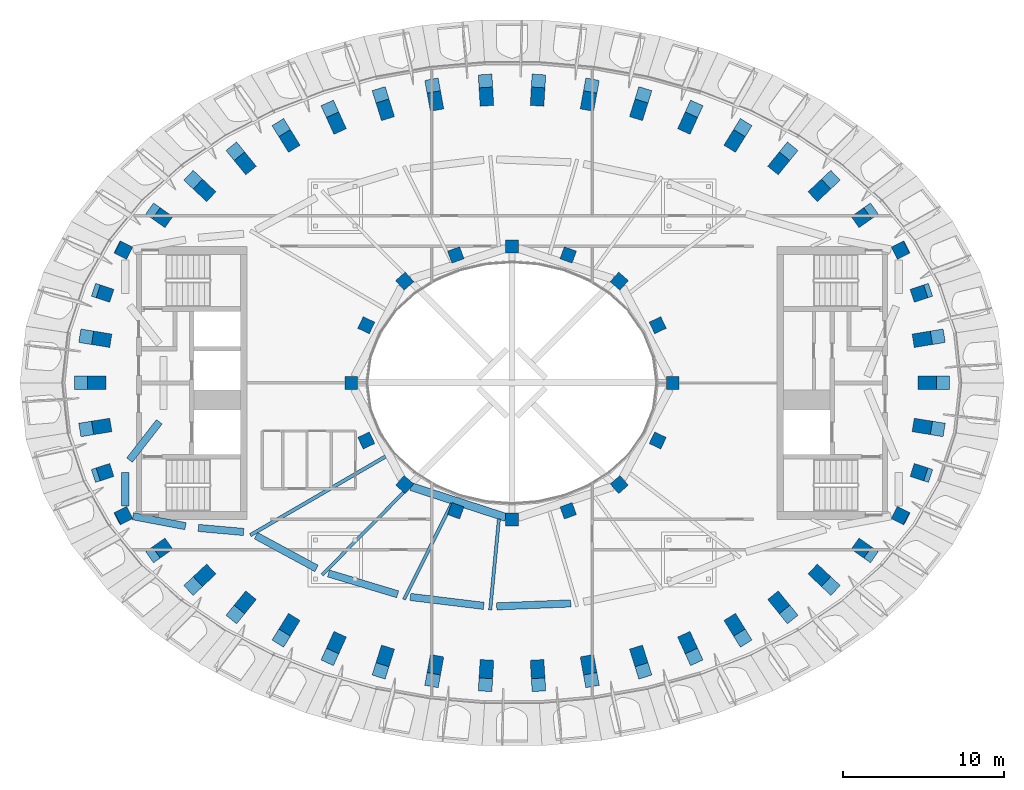
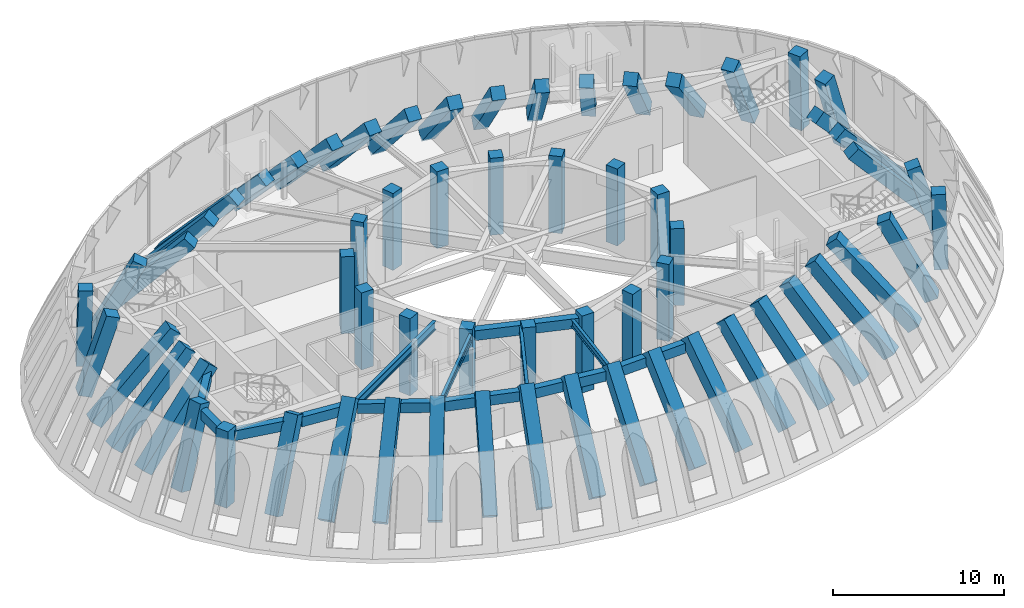
# One storey, part 1 of 13: 62 columns, 13 beams.
"""IFC4 building model written with IfcOpenShell, lengths in metres."""

import ifcopenshell
import ifcopenshell.guid

model = None  # the IFC model being written
_history = None  # IfcOwnerHistory: only IFC2X3 demands one
_inside = {}  # id of a spatial element -> (the spatial element, [elements in it])
_under = {}  # id of a project, library or spatial element -> (it, [spatial elements below it])
_declared = {}  # id of a project -> (the project, [libraries it declares])
_typed = {}  # id of a type object -> (the type object, [elements of that type])
_made_of = {}  # id of a material, layer set ... -> (it, [elements and type objects made of it])


def new_model(schema):
    """Start an empty IFC model of exactly this schema.

    Asked for "IFC4X3", IfcOpenShell would pick the latest addendum, in which some entities
    have other attributes; the version numbers below select the first issue.
    IFC2X3 requires an IfcOwnerHistory on every rooted entity: one is made here for all.
    """
    global model, _history
    if schema == "IFC4X3":
        model = ifcopenshell.file(schema_version=(4, 3, 0, 0))
    else:
        model = ifcopenshell.file(schema=schema)
    _inside.clear()
    _under.clear()
    _declared.clear()
    _typed.clear()
    _made_of.clear()
    _history = None
    if model.schema == "IFC2X3":
        org = make("IfcOrganization", Name="unknown")
        user = make(
            "IfcPersonAndOrganization",
            ThePerson=make("IfcPerson", FamilyName="unknown"),
            TheOrganization=org,
        )
        app = make(
            "IfcApplication",
            ApplicationDeveloper=org,
            Version="unknown",
            ApplicationFullName="unknown",
            ApplicationIdentifier="unknown",
        )
        _history = make(
            "IfcOwnerHistory",
            OwningUser=user,
            OwningApplication=app,
            ChangeAction="ADDED",
            CreationDate=0,
        )
    return model


def make(cls, **values):
    """One entity of the class cls with the attributes given. An attribute that is None is left unset."""
    return model.create_entity(
        cls, **{name: value for name, value in values.items() if value is not None}
    )


def rooted(cls, **values):
    """An entity with a GlobalId (a new one), such as an element, a storey or a relation."""
    return make(cls, GlobalId=ifcopenshell.guid.new(), OwnerHistory=_history, **values)


def si_unit(unit_type, name, prefix=None):
    """IfcSIUnit, for example si_unit("LENGTHUNIT", "METRE", prefix="MILLI")."""
    return make("IfcSIUnit", UnitType=unit_type, Prefix=prefix, Name=name)


def assignment(units):
    """IfcUnitAssignment: the units of a project."""
    return None if units is None else make("IfcUnitAssignment", Units=units)


def point(xyz):
    """IfcCartesianPoint."""
    return None if xyz is None else make("IfcCartesianPoint", Coordinates=xyz)


def direction(xyz):
    """IfcDirection."""
    return None if xyz is None else make("IfcDirection", DirectionRatios=xyz)


def frame(location, z_axis=None, x_axis=None):
    """IfcAxis2Placement3D, a coordinate frame: its origin and axes. An axis left out is left unset."""
    return make(
        "IfcAxis2Placement3D",
        Location=point(location),
        Axis=direction(z_axis),
        RefDirection=direction(x_axis),
    )


def frame_2d(location, x_axis=None):
    """IfcAxis2Placement2D, a coordinate frame in the plane: its origin and x axis."""
    return make(
        "IfcAxis2Placement2D", Location=point(location), RefDirection=direction(x_axis)
    )


def origin():
    """The frame at (0, 0, 0) with its axes left unset."""
    return frame((0.0, 0.0, 0.0))


def origin_2d():
    """The frame at (0, 0) in the plane with its x axis left unset."""
    return frame_2d((0.0, 0.0))


def place(relative_to, where):
    """IfcLocalPlacement: puts the frame where relative to a parent placement (None: the world)."""
    return make(
        "IfcLocalPlacement", PlacementRelTo=relative_to, RelativePlacement=where
    )


def context(
    kind, dimensions, precision=None, world=None, true_north=None, identifier=None
):
    """IfcGeometricRepresentationContext, for example the 3D "Model" context."""
    return make(
        "IfcGeometricRepresentationContext",
        ContextIdentifier=identifier,
        ContextType=kind,
        CoordinateSpaceDimension=dimensions,
        Precision=precision,
        WorldCoordinateSystem=world,
        TrueNorth=true_north,
    )


def subcontext(parent, identifier, kind, view, scale=None):
    """IfcGeometricRepresentationSubContext, for example "Body" below "Model"."""
    return make(
        "IfcGeometricRepresentationSubContext",
        ContextIdentifier=identifier,
        ContextType=kind,
        ParentContext=parent,
        TargetScale=scale,
        TargetView=view,
    )


def project(units=None, contexts=None):
    """IfcProject with its units and contexts."""
    return rooted(
        "IfcProject",
        Name="project",
        RepresentationContexts=contexts,
        UnitsInContext=assignment(units),
    )


def spatial(cls, under=None, at=None, **own):
    """A site, building, storey or space (cls), placed at a placement, below another one or the project."""
    s = rooted(cls, ObjectPlacement=at, **own)
    if under is not None:
        _under.setdefault(under.id(), (under, []))[1].append(s)
    return s


def profile(cls, at=None, kind="AREA", **sizes):
    """A parametric profile (cls). Its sizes go by their IFC names, for example OverallWidth=200.0."""
    return make(cls, ProfileType=kind, Position=at, **sizes)


def rectangle(**sizes):
    """IfcRectangleProfileDef."""
    return profile("IfcRectangleProfileDef", **sizes)


def i_section(**sizes):
    """IfcIShapeProfileDef."""
    return profile("IfcIShapeProfileDef", **sizes)


def extrude(swept, where, along, depth):
    """IfcExtrudedAreaSolid: the profile swept, set in the frame where, extruded along a direction by depth."""
    return make(
        "IfcExtrudedAreaSolid",
        SweptArea=swept,
        Position=where,
        ExtrudedDirection=direction(along),
        Depth=depth,
    )


def shape(context_of_items, identifier, shape_type, items):
    """IfcShapeRepresentation: the items that make up one representation, for example the "Body"."""
    return make(
        "IfcShapeRepresentation",
        ContextOfItems=context_of_items,
        RepresentationIdentifier=identifier,
        RepresentationType=shape_type,
        Items=items,
    )


def material(Name=None, Category=None):
    """IfcMaterial."""
    return make("IfcMaterial", Name=Name, Category=Category)


def material_profile(
    of_material, cross_section, Name=None, Category=None, Priority=None
):
    """IfcMaterialProfile: a cross section and its material."""
    return make(
        "IfcMaterialProfile",
        Name=Name,
        Material=of_material,
        Profile=cross_section,
        Priority=Priority,
        Category=Category,
    )


def profile_set(profiles, Name=None, composite=None):
    """IfcMaterialProfileSet."""
    return make(
        "IfcMaterialProfileSet",
        Name=Name,
        MaterialProfiles=profiles,
        CompositeProfile=composite,
    )


def made_of(thing, what):
    """Note that an element or type object is made of a material, layer set ...; save() writes the relation."""
    if what is not None:
        _made_of.setdefault(what.id(), (what, []))[1].append(thing)
    return thing


def type_object(cls, material=None, **own):
    """A type object (cls), such as IfcWallType, which elements share."""
    return made_of(rooted(cls, **own), material)


def element(
    cls,
    number,
    at=None,
    inside=None,
    cuts=None,
    type_object=None,
    material=None,
    context=None,
    identifier="Body",
    shape_type=None,
    held_by="IfcProductDefinitionShape",
    body=None,
    shapes=None,
    **own,
):
    """One element of the class cls, such as IfcWall. Its Tag is "e" and its number.

    at: its placement. inside: the storey or other place that contains it. cuts: it is an
    opening in that element (IfcRelVoidsElement). A single representation is given by context,
    identifier, shape_type and body (its items); several are given by shapes. held_by: the class
    of the entity that holds the representations. save() writes the other relations.
    """
    e = rooted(cls, Tag="e%d" % number, ObjectPlacement=at, **own)
    if body is not None:
        shapes = [shape(context, identifier, shape_type, body)]
    if shapes is not None:
        e.Representation = make(held_by, Representations=shapes)
    if inside is not None:
        _inside.setdefault(inside.id(), (inside, []))[1].append(e)
    if cuts is not None:
        rooted(
            "IfcRelVoidsElement", RelatingBuildingElement=cuts, RelatedOpeningElement=e
        )
    if type_object is not None:
        _typed.setdefault(type_object.id(), (type_object, []))[1].append(e)
    return made_of(e, material)


def aggregate(whole, parts):
    """IfcRelAggregates: a whole, such as a stair, and the parts it consists of."""
    return rooted("IfcRelAggregates", RelatingObject=whole, RelatedObjects=parts)


def save(model, path):
    """Write the relations noted so far, then the file.

    IfcRelAggregates (storeys below a building ...), IfcRelContainedInSpatialStructure (elements
    in a storey), IfcRelDefinesByType, IfcRelAssociatesMaterial and IfcRelDeclares: one each for
    every whole, place, type object, material and project.
    """
    for whole, parts in _under.values():
        aggregate(whole, parts)
    for where, things in _inside.values():
        rooted(
            "IfcRelContainedInSpatialStructure",
            RelatedElements=things,
            RelatingStructure=where,
        )
    for kind, things in _typed.values():
        rooted("IfcRelDefinesByType", RelatedObjects=things, RelatingType=kind)
    for what, things in _made_of.values():
        rooted("IfcRelAssociatesMaterial", RelatedObjects=things, RelatingMaterial=what)
    for by, libraries in _declared.values():
        rooted("IfcRelDeclares", RelatingContext=by, RelatedDefinitions=libraries)
    model.write(path)


model = new_model("IFC4")

# Units and contexts
model_context = context("Model", 3, precision=1e-05, world=origin(), true_north=direction((0.0, 1.0)))
body_context = subcontext(model_context, "Body", "Model", "MODEL_VIEW")
ifc_project = project(units=[si_unit("LENGTHUNIT", "METRE"), si_unit("AREAUNIT", "SQUARE_METRE"), si_unit("VOLUMEUNIT", "CUBIC_METRE"), si_unit("PLANEANGLEUNIT", "RADIAN"), si_unit("MASSUNIT", "GRAM", prefix="KILO")], contexts=[model_context])

# Site, building, storey
site_placement = place(None, origin())
site = spatial("IfcSite", under=ifc_project, at=site_placement, CompositionType="ELEMENT")
building_placement = place(site_placement, origin())
building = spatial("IfcBuilding", under=site, at=building_placement, Name="Noorbagh Ring Tower", CompositionType="ELEMENT")
storey_placement = place(building_placement, frame((0.0, 0.0, 351.0)))
storey = spatial("IfcBuildingStorey", under=building, at=storey_placement, Name="L77", CompositionType="ELEMENT", Elevation=351.0)

# Columns
ifc_material_1 = material(Name="Concrete C50/60", Category="concrete")
ifc_material_profile_1 = material_profile(ifc_material_1, rectangle(XDim=0.85009765625, YDim=0.85009765625, at=origin_2d()), Name="RC850x850")
ifc_profile_set_1 = profile_set([ifc_material_profile_1], Name="Concrete C50/60")
column_type_1 = type_object("IfcColumnType", Name="STR-COL-RC850x850-C50-60", PredefinedType="COLUMN", material=ifc_profile_set_1)
column_1_placement = place(storey_placement, frame((26.921630859375, 0.0, 0.0244140625), z_axis=(-0.671748348073, 0.0, 0.740779425242), x_axis=(0.0, -1.0, 0.0)))
element("IfcColumn", 1, at=column_1_placement, inside=storey, type_object=column_type_1, Name="L77/col/R1-01", PredefinedType="COLUMN", context=body_context, shape_type="SweptSolid", body=[
    extrude(rectangle(XDim=0.85009765625, YDim=0.85009765625, at=origin_2d()), origin(), (0.0, 0.0, 1.0), 7.3916015625),
])
column_2_placement = place(storey_placement, frame((26.605224609375, 2.88427734375, 0.0244140625), z_axis=(-0.663002424258, -0.107229988497, 0.740897776346), x_axis=(0.159659238674, -0.987172187365, 0.0)))
element("IfcColumn", 2, at=column_2_placement, inside=storey, type_object=column_type_1, Name="L77/col/R1-02", PredefinedType="COLUMN", context=body_context, shape_type="SweptSolid", body=[
    extrude(rectangle(XDim=0.85009765625, YDim=0.85009765625, at=origin_2d()), origin(), (0.0, 0.0, 1.0), 7.390380859375),
])
column_3_placement = place(storey_placement, frame((25.68212890625, 5.671630859375, 0.05810546875), z_axis=(-0.281200724754, -0.092390850742, 0.955191123858), x_axis=(0.312142088562, -0.950035429102, 0.0)))
element("IfcColumn", 3, at=column_3_placement, inside=storey, type_object=column_type_1, Name="L77/col/R1-03", PredefinedType="COLUMN", context=body_context, shape_type="SweptSolid", body=[
    extrude(rectangle(XDim=0.85009765625, YDim=0.85009765625, at=origin_2d()), origin(), (0.0, 0.0, 1.0), 5.697265625),
])
column_4_placement = place(storey_placement, frame((24.21630859375, 8.282470703125, 0.121337890625), z_axis=(-0.025317754226, -0.012794994071, 0.999597568748), x_axis=(0.451048184688, -0.89249959949, 0.0)))
element("IfcColumn", 4, at=column_4_placement, inside=storey, type_object=column_type_1, Name="L77/col/R1-04", PredefinedType="COLUMN", context=body_context, shape_type="SweptSolid", body=[
    extrude(rectangle(XDim=0.85009765625, YDim=0.85009765625, at=origin_2d()), origin(), (0.0, 0.0, 1.0), 5.380859375),
])
column_5_placement = place(storey_placement, frame((22.2607421875, 10.64111328125, 0.02001953125), z_axis=(-0.376654859375, -0.265757737453, 0.887414188467), x_axis=(0.57651482377, -0.817086689387, 0.0)))
element("IfcColumn", 5, at=column_5_placement, inside=storey, type_object=column_type_1, Name="L77/col/R1-05", PredefinedType="COLUMN", context=body_context, shape_type="SweptSolid", body=[
    extrude(rectangle(XDim=0.85009765625, YDim=0.85009765625, at=origin_2d()), origin(), (0.0, 0.0, 1.0), 6.17529296875),
])
column_6_placement = place(storey_placement, frame((19.919677734375, 12.714111328125, 0.0244140625), z_axis=(-0.48918887633, -0.459337710272, 0.7414196593), x_axis=(0.684514461897, -0.728999280832, 0.0)))
element("IfcColumn", 6, at=column_6_placement, inside=storey, type_object=column_type_1, Name="L77/col/R1-06", PredefinedType="COLUMN", context=body_context, shape_type="SweptSolid", body=[
    extrude(rectangle(XDim=0.85009765625, YDim=0.85009765625, at=origin_2d()), origin(), (0.0, 0.0, 1.0), 7.38525390625),
])
column_7_placement = place(storey_placement, frame((17.285888671875, 14.4951171875, 0.0244140625), z_axis=(-0.423361918772, -0.520740448808, 0.741346120722), x_axis=(0.77592413996, -0.630826227282, 0.0)))
element("IfcColumn", 7, at=column_7_placement, inside=storey, type_object=column_type_1, Name="L77/col/R1-07", PredefinedType="COLUMN", context=body_context, shape_type="SweptSolid", body=[
    extrude(rectangle(XDim=0.85009765625, YDim=0.85009765625, at=origin_2d()), origin(), (0.0, 0.0, 1.0), 7.385986328125),
])
column_8_placement = place(storey_placement, frame((14.41943359375, 15.97216796875, 0.0244140625), z_axis=(-0.352401023351, -0.571317311327, 0.741221996786), x_axis=(0.851111840755, -0.524984413604, 0.0)))
element("IfcColumn", 8, at=column_8_placement, inside=storey, type_object=column_type_1, Name="L77/col/R1-08", PredefinedType="COLUMN", context=body_context, shape_type="SweptSolid", body=[
    extrude(rectangle(XDim=0.85009765625, YDim=0.85009765625, at=origin_2d()), origin(), (0.0, 0.0, 1.0), 7.38720703125),
])
column_9_placement = place(storey_placement, frame((11.37841796875, 17.146240234375, 0.0244140625), z_axis=(-0.277631294914, -0.611304327055, 0.741099105254), x_axis=(0.910497899189, -0.41351369454, 0.0)))
element("IfcColumn", 9, at=column_9_placement, inside=storey, type_object=column_type_1, Name="L77/col/R1-09", PredefinedType="COLUMN", context=body_context, shape_type="SweptSolid", body=[
    extrude(rectangle(XDim=0.85009765625, YDim=0.85009765625, at=origin_2d()), origin(), (0.0, 0.0, 1.0), 7.388427734375),
])
column_10_placement = place(storey_placement, frame((8.211669921875, 18.021240234375, 0.0244140625), z_axis=(-0.200149570862, -0.640987425601, 0.74099613326), x_axis=(0.954547364195, -0.298059271805, 0.0)))
element("IfcColumn", 10, at=column_10_placement, inside=storey, type_object=column_type_1, Name="L77/col/R1-10", PredefinedType="COLUMN", context=body_context, shape_type="SweptSolid", body=[
    extrude(rectangle(XDim=0.85009765625, YDim=0.85009765625, at=origin_2d()), origin(), (0.0, 0.0, 1.0), 7.389404296875),
])
column_11_placement = place(storey_placement, frame((4.959716796875, 18.6015625, 0.0244140625), z_axis=(-0.120810316709, -0.660641157657, 0.740917085905), x_axis=(0.983687598335, -0.179885265882, 0.0)))
element("IfcColumn", 11, at=column_11_placement, inside=storey, type_object=column_type_1, Name="L77/col/R1-11", PredefinedType="COLUMN", context=body_context, shape_type="SweptSolid", body=[
    extrude(rectangle(XDim=0.85009765625, YDim=0.85009765625, at=origin_2d()), origin(), (0.0, 0.0, 1.0), 7.390380859375),
])
for number, where, z_axis, x_axis, name in (
    (12, (1.658447265625, 18.890869140625, 0.0244140625), (-0.040367302916, -0.670420959647, 0.740882053853), (0.998192179231, -0.060103022568, 0.0), "L77/col/R1-12"),
    (13, (-1.658447265625, 18.890869140625, 0.0244140625), (0.040367302916, -0.670420959647, 0.740882053853), (0.998192179231, 0.060103022568, 0.0), "L77/col/R1-13"),
):
    element("IfcColumn", number, at=place(storey_placement, frame(where, z_axis=z_axis, x_axis=x_axis)), inside=storey, type_object=column_type_1, Name=name, PredefinedType="COLUMN", context=body_context, shape_type="SweptSolid", body=[
        extrude(rectangle(XDim=0.85009765625, YDim=0.85009765625, at=origin_2d()), origin(), (0.0, 0.0, 1.0), 7.390625),
    ])
column_12_placement = place(storey_placement, frame((-4.959716796875, 18.6015625, 0.0244140625), z_axis=(0.120810316709, -0.660641157657, 0.740917085905), x_axis=(0.983687598335, 0.179885265882, 0.0)))
element("IfcColumn", 14, at=column_12_placement, inside=storey, type_object=column_type_1, Name="L77/col/R1-14", PredefinedType="COLUMN", context=body_context, shape_type="SweptSolid", body=[
    extrude(rectangle(XDim=0.85009765625, YDim=0.85009765625, at=origin_2d()), origin(), (0.0, 0.0, 1.0), 7.390380859375),
])
column_13_placement = place(storey_placement, frame((-8.211669921875, 18.021240234375, 0.0244140625), z_axis=(0.200149570862, -0.640987425601, 0.74099613326), x_axis=(0.954547364195, 0.298059271805, 0.0)))
element("IfcColumn", 15, at=column_13_placement, inside=storey, type_object=column_type_1, Name="L77/col/R1-15", PredefinedType="COLUMN", context=body_context, shape_type="SweptSolid", body=[
    extrude(rectangle(XDim=0.85009765625, YDim=0.85009765625, at=origin_2d()), origin(), (0.0, 0.0, 1.0), 7.389404296875),
])
column_14_placement = place(storey_placement, frame((-11.37841796875, 17.146240234375, 0.0244140625), z_axis=(0.277631294914, -0.611304327055, 0.741099105254), x_axis=(0.910497899189, 0.41351369454, 0.0)))
element("IfcColumn", 16, at=column_14_placement, inside=storey, type_object=column_type_1, Name="L77/col/R1-16", PredefinedType="COLUMN", context=body_context, shape_type="SweptSolid", body=[
    extrude(rectangle(XDim=0.85009765625, YDim=0.85009765625, at=origin_2d()), origin(), (0.0, 0.0, 1.0), 7.388427734375),
])
column_15_placement = place(storey_placement, frame((-14.41943359375, 15.97216796875, 0.0244140625), z_axis=(0.352401023351, -0.571317311327, 0.741221996786), x_axis=(0.851111840755, 0.524984413604, 0.0)))
element("IfcColumn", 17, at=column_15_placement, inside=storey, type_object=column_type_1, Name="L77/col/R1-17", PredefinedType="COLUMN", context=body_context, shape_type="SweptSolid", body=[
    extrude(rectangle(XDim=0.85009765625, YDim=0.85009765625, at=origin_2d()), origin(), (0.0, 0.0, 1.0), 7.38720703125),
])
column_16_placement = place(storey_placement, frame((-17.285888671875, 14.4951171875, 0.0244140625), z_axis=(0.423361918772, -0.520740448808, 0.741346120722), x_axis=(0.77592413996, 0.630826227282, 0.0)))
element("IfcColumn", 18, at=column_16_placement, inside=storey, type_object=column_type_1, Name="L77/col/R1-18", PredefinedType="COLUMN", context=body_context, shape_type="SweptSolid", body=[
    extrude(rectangle(XDim=0.85009765625, YDim=0.85009765625, at=origin_2d()), origin(), (0.0, 0.0, 1.0), 7.385986328125),
])
column_17_placement = place(storey_placement, frame((-19.919677734375, 12.714111328125, 0.0244140625), z_axis=(0.48918887633, -0.459337710272, 0.7414196593), x_axis=(0.684514461897, 0.728999280832, 0.0)))
element("IfcColumn", 19, at=column_17_placement, inside=storey, type_object=column_type_1, Name="L77/col/R1-19", PredefinedType="COLUMN", context=body_context, shape_type="SweptSolid", body=[
    extrude(rectangle(XDim=0.85009765625, YDim=0.85009765625, at=origin_2d()), origin(), (0.0, 0.0, 1.0), 7.38525390625),
])
column_18_placement = place(storey_placement, frame((-22.2607421875, 10.64111328125, 0.02001953125), z_axis=(0.376654859375, -0.265757737453, 0.887414188467), x_axis=(0.57651482377, 0.817086689387, 0.0)))
element("IfcColumn", 20, at=column_18_placement, inside=storey, type_object=column_type_1, Name="L77/col/R1-20", PredefinedType="COLUMN", context=body_context, shape_type="SweptSolid", body=[
    extrude(rectangle(XDim=0.85009765625, YDim=0.85009765625, at=origin_2d()), origin(), (0.0, 0.0, 1.0), 6.17529296875),
])
column_19_placement = place(storey_placement, frame((-24.21630859375, 8.282470703125, 0.121337890625), z_axis=(0.025317754226, -0.012794994071, 0.999597568748), x_axis=(0.451048184688, 0.89249959949, 0.0)))
element("IfcColumn", 21, at=column_19_placement, inside=storey, type_object=column_type_1, Name="L77/col/R1-21", PredefinedType="COLUMN", context=body_context, shape_type="SweptSolid", body=[
    extrude(rectangle(XDim=0.85009765625, YDim=0.85009765625, at=origin_2d()), origin(), (0.0, 0.0, 1.0), 5.380859375),
])
column_20_placement = place(storey_placement, frame((-25.68212890625, 5.671630859375, 0.05810546875), z_axis=(0.281200724754, -0.092390850742, 0.955191123858), x_axis=(0.312142088562, 0.950035429102, 0.0)))
element("IfcColumn", 22, at=column_20_placement, inside=storey, type_object=column_type_1, Name="L77/col/R1-22", PredefinedType="COLUMN", context=body_context, shape_type="SweptSolid", body=[
    extrude(rectangle(XDim=0.85009765625, YDim=0.85009765625, at=origin_2d()), origin(), (0.0, 0.0, 1.0), 5.697265625),
])
column_21_placement = place(storey_placement, frame((-26.605224609375, 2.88427734375, 0.0244140625), z_axis=(0.663002424258, -0.107229988497, 0.740897776346), x_axis=(0.159659238674, 0.987172187365, 0.0)))
element("IfcColumn", 23, at=column_21_placement, inside=storey, type_object=column_type_1, Name="L77/col/R1-23", PredefinedType="COLUMN", context=body_context, shape_type="SweptSolid", body=[
    extrude(rectangle(XDim=0.85009765625, YDim=0.85009765625, at=origin_2d()), origin(), (0.0, 0.0, 1.0), 7.390380859375),
])
column_22_placement = place(storey_placement, frame((-26.921630859375, 0.0, 0.0244140625), z_axis=(0.671748348073, 0.0, 0.740779425242), x_axis=(0.0, 1.0, 0.0)))
element("IfcColumn", 24, at=column_22_placement, inside=storey, type_object=column_type_1, Name="L77/col/R1-24", PredefinedType="COLUMN", context=body_context, shape_type="SweptSolid", body=[
    extrude(rectangle(XDim=0.85009765625, YDim=0.85009765625, at=origin_2d()), origin(), (0.0, 0.0, 1.0), 7.3916015625),
])
column_23_placement = place(storey_placement, frame((-26.605224609375, -2.88427734375, 0.0244140625), z_axis=(0.663002424258, 0.107229988497, 0.740897776346), x_axis=(-0.159659238674, 0.987172187365, 0.0)))
element("IfcColumn", 25, at=column_23_placement, inside=storey, type_object=column_type_1, Name="L77/col/R1-25", PredefinedType="COLUMN", context=body_context, shape_type="SweptSolid", body=[
    extrude(rectangle(XDim=0.85009765625, YDim=0.85009765625, at=origin_2d()), origin(), (0.0, 0.0, 1.0), 7.390380859375),
])
column_24_placement = place(storey_placement, frame((-25.68212890625, -5.671630859375, 0.05810546875), z_axis=(0.281200724754, 0.092390850742, 0.955191123858), x_axis=(-0.312142088562, 0.950035429102, 0.0)))
element("IfcColumn", 26, at=column_24_placement, inside=storey, type_object=column_type_1, Name="L77/col/R1-26", PredefinedType="COLUMN", context=body_context, shape_type="SweptSolid", body=[
    extrude(rectangle(XDim=0.85009765625, YDim=0.85009765625, at=origin_2d()), origin(), (0.0, 0.0, 1.0), 5.697265625),
])
column_25_placement = place(storey_placement, frame((-24.21630859375, -8.282470703125, 0.121337890625), z_axis=(0.025317754226, 0.012794994071, 0.999597568748), x_axis=(-0.451048184688, 0.89249959949, 0.0)))
element("IfcColumn", 27, at=column_25_placement, inside=storey, type_object=column_type_1, Name="L77/col/R1-27", PredefinedType="COLUMN", context=body_context, shape_type="SweptSolid", body=[
    extrude(rectangle(XDim=0.85009765625, YDim=0.85009765625, at=origin_2d()), origin(), (0.0, 0.0, 1.0), 5.380859375),
])
column_26_placement = place(storey_placement, frame((-22.2607421875, -10.64111328125, 0.02001953125), z_axis=(0.376654859375, 0.265757737453, 0.887414188467), x_axis=(-0.57651482377, 0.817086689387, 0.0)))
element("IfcColumn", 28, at=column_26_placement, inside=storey, type_object=column_type_1, Name="L77/col/R1-28", PredefinedType="COLUMN", context=body_context, shape_type="SweptSolid", body=[
    extrude(rectangle(XDim=0.85009765625, YDim=0.85009765625, at=origin_2d()), origin(), (0.0, 0.0, 1.0), 6.17529296875),
])
column_27_placement = place(storey_placement, frame((-19.919677734375, -12.714111328125, 0.0244140625), z_axis=(0.48918887633, 0.459337710272, 0.7414196593), x_axis=(-0.684514461897, 0.728999280832, 0.0)))
element("IfcColumn", 29, at=column_27_placement, inside=storey, type_object=column_type_1, Name="L77/col/R1-29", PredefinedType="COLUMN", context=body_context, shape_type="SweptSolid", body=[
    extrude(rectangle(XDim=0.85009765625, YDim=0.85009765625, at=origin_2d()), origin(), (0.0, 0.0, 1.0), 7.38525390625),
])
column_28_placement = place(storey_placement, frame((-17.285888671875, -14.4951171875, 0.0244140625), z_axis=(0.423361918772, 0.520740448808, 0.741346120722), x_axis=(-0.77592413996, 0.630826227282, 0.0)))
element("IfcColumn", 30, at=column_28_placement, inside=storey, type_object=column_type_1, Name="L77/col/R1-30", PredefinedType="COLUMN", context=body_context, shape_type="SweptSolid", body=[
    extrude(rectangle(XDim=0.85009765625, YDim=0.85009765625, at=origin_2d()), origin(), (0.0, 0.0, 1.0), 7.385986328125),
])
column_29_placement = place(storey_placement, frame((-14.41943359375, -15.97216796875, 0.0244140625), z_axis=(0.352401023351, 0.571317311327, 0.741221996786), x_axis=(-0.851111840755, 0.524984413604, 0.0)))
element("IfcColumn", 31, at=column_29_placement, inside=storey, type_object=column_type_1, Name="L77/col/R1-31", PredefinedType="COLUMN", context=body_context, shape_type="SweptSolid", body=[
    extrude(rectangle(XDim=0.85009765625, YDim=0.85009765625, at=origin_2d()), origin(), (0.0, 0.0, 1.0), 7.38720703125),
])
column_30_placement = place(storey_placement, frame((-11.37841796875, -17.146240234375, 0.0244140625), z_axis=(0.277631294914, 0.611304327055, 0.741099105254), x_axis=(-0.910497899189, 0.41351369454, 0.0)))
element("IfcColumn", 32, at=column_30_placement, inside=storey, type_object=column_type_1, Name="L77/col/R1-32", PredefinedType="COLUMN", context=body_context, shape_type="SweptSolid", body=[
    extrude(rectangle(XDim=0.85009765625, YDim=0.85009765625, at=origin_2d()), origin(), (0.0, 0.0, 1.0), 7.388427734375),
])
column_31_placement = place(storey_placement, frame((-8.211669921875, -18.021240234375, 0.0244140625), z_axis=(0.200149570862, 0.640987425601, 0.74099613326), x_axis=(-0.954547364195, 0.298059271805, 0.0)))
element("IfcColumn", 33, at=column_31_placement, inside=storey, type_object=column_type_1, Name="L77/col/R1-33", PredefinedType="COLUMN", context=body_context, shape_type="SweptSolid", body=[
    extrude(rectangle(XDim=0.85009765625, YDim=0.85009765625, at=origin_2d()), origin(), (0.0, 0.0, 1.0), 7.389404296875),
])
column_32_placement = place(storey_placement, frame((-4.959716796875, -18.6015625, 0.0244140625), z_axis=(0.120810316709, 0.660641157657, 0.740917085905), x_axis=(-0.983687598335, 0.179885265882, 0.0)))
element("IfcColumn", 34, at=column_32_placement, inside=storey, type_object=column_type_1, Name="L77/col/R1-34", PredefinedType="COLUMN", context=body_context, shape_type="SweptSolid", body=[
    extrude(rectangle(XDim=0.85009765625, YDim=0.85009765625, at=origin_2d()), origin(), (0.0, 0.0, 1.0), 7.390380859375),
])
for number, where, z_axis, x_axis, name in (
    (35, (-1.658447265625, -18.890869140625, 0.0244140625), (0.040367302916, 0.670420959647, 0.740882053853), (-0.998192179231, 0.060103022568, 0.0), "L77/col/R1-35"),
    (36, (1.658447265625, -18.890869140625, 0.0244140625), (-0.040367302916, 0.670420959647, 0.740882053853), (-0.998192179231, -0.060103022568, 0.0), "L77/col/R1-36"),
):
    element("IfcColumn", number, at=place(storey_placement, frame(where, z_axis=z_axis, x_axis=x_axis)), inside=storey, type_object=column_type_1, Name=name, PredefinedType="COLUMN", context=body_context, shape_type="SweptSolid", body=[
        extrude(rectangle(XDim=0.85009765625, YDim=0.85009765625, at=origin_2d()), origin(), (0.0, 0.0, 1.0), 7.390625),
    ])
column_33_placement = place(storey_placement, frame((4.959716796875, -18.6015625, 0.0244140625), z_axis=(-0.120810316709, 0.660641157657, 0.740917085905), x_axis=(-0.983687598335, -0.179885265882, 0.0)))
element("IfcColumn", 37, at=column_33_placement, inside=storey, type_object=column_type_1, Name="L77/col/R1-37", PredefinedType="COLUMN", context=body_context, shape_type="SweptSolid", body=[
    extrude(rectangle(XDim=0.85009765625, YDim=0.85009765625, at=origin_2d()), origin(), (0.0, 0.0, 1.0), 7.390380859375),
])
column_34_placement = place(storey_placement, frame((8.211669921875, -18.021240234375, 0.0244140625), z_axis=(-0.200149570862, 0.640987425601, 0.74099613326), x_axis=(-0.954547364195, -0.298059271805, 0.0)))
element("IfcColumn", 38, at=column_34_placement, inside=storey, type_object=column_type_1, Name="L77/col/R1-38", PredefinedType="COLUMN", context=body_context, shape_type="SweptSolid", body=[
    extrude(rectangle(XDim=0.85009765625, YDim=0.85009765625, at=origin_2d()), origin(), (0.0, 0.0, 1.0), 7.389404296875),
])
column_35_placement = place(storey_placement, frame((11.37841796875, -17.146240234375, 0.0244140625), z_axis=(-0.277631294914, 0.611304327055, 0.741099105254), x_axis=(-0.910497899189, -0.41351369454, 0.0)))
element("IfcColumn", 39, at=column_35_placement, inside=storey, type_object=column_type_1, Name="L77/col/R1-39", PredefinedType="COLUMN", context=body_context, shape_type="SweptSolid", body=[
    extrude(rectangle(XDim=0.85009765625, YDim=0.85009765625, at=origin_2d()), origin(), (0.0, 0.0, 1.0), 7.388427734375),
])
column_36_placement = place(storey_placement, frame((14.41943359375, -15.97216796875, 0.0244140625), z_axis=(-0.352401023351, 0.571317311327, 0.741221996786), x_axis=(-0.851111840755, -0.524984413604, 0.0)))
element("IfcColumn", 40, at=column_36_placement, inside=storey, type_object=column_type_1, Name="L77/col/R1-40", PredefinedType="COLUMN", context=body_context, shape_type="SweptSolid", body=[
    extrude(rectangle(XDim=0.85009765625, YDim=0.85009765625, at=origin_2d()), origin(), (0.0, 0.0, 1.0), 7.38720703125),
])
column_37_placement = place(storey_placement, frame((17.285888671875, -14.4951171875, 0.0244140625), z_axis=(-0.423361918772, 0.520740448808, 0.741346120722), x_axis=(-0.77592413996, -0.630826227282, 0.0)))
element("IfcColumn", 41, at=column_37_placement, inside=storey, type_object=column_type_1, Name="L77/col/R1-41", PredefinedType="COLUMN", context=body_context, shape_type="SweptSolid", body=[
    extrude(rectangle(XDim=0.85009765625, YDim=0.85009765625, at=origin_2d()), origin(), (0.0, 0.0, 1.0), 7.385986328125),
])
column_38_placement = place(storey_placement, frame((19.919677734375, -12.714111328125, 0.0244140625), z_axis=(-0.48918887633, 0.459337710272, 0.7414196593), x_axis=(-0.684514461897, -0.728999280832, 0.0)))
element("IfcColumn", 42, at=column_38_placement, inside=storey, type_object=column_type_1, Name="L77/col/R1-42", PredefinedType="COLUMN", context=body_context, shape_type="SweptSolid", body=[
    extrude(rectangle(XDim=0.85009765625, YDim=0.85009765625, at=origin_2d()), origin(), (0.0, 0.0, 1.0), 7.38525390625),
])
column_39_placement = place(storey_placement, frame((22.2607421875, -10.64111328125, 0.02001953125), z_axis=(-0.376654859375, 0.265757737453, 0.887414188467), x_axis=(-0.57651482377, -0.817086689387, 0.0)))
element("IfcColumn", 43, at=column_39_placement, inside=storey, type_object=column_type_1, Name="L77/col/R1-43", PredefinedType="COLUMN", context=body_context, shape_type="SweptSolid", body=[
    extrude(rectangle(XDim=0.85009765625, YDim=0.85009765625, at=origin_2d()), origin(), (0.0, 0.0, 1.0), 6.17529296875),
])
column_40_placement = place(storey_placement, frame((24.21630859375, -8.282470703125, 0.121337890625), z_axis=(-0.025317754226, 0.012794994071, 0.999597568748), x_axis=(-0.451048184688, -0.89249959949, 0.0)))
element("IfcColumn", 44, at=column_40_placement, inside=storey, type_object=column_type_1, Name="L77/col/R1-44", PredefinedType="COLUMN", context=body_context, shape_type="SweptSolid", body=[
    extrude(rectangle(XDim=0.85009765625, YDim=0.85009765625, at=origin_2d()), origin(), (0.0, 0.0, 1.0), 5.380859375),
])
column_41_placement = place(storey_placement, frame((25.68212890625, -5.671630859375, 0.05810546875), z_axis=(-0.281200724754, 0.092390850742, 0.955191123858), x_axis=(-0.312142088562, -0.950035429102, 0.0)))
element("IfcColumn", 45, at=column_41_placement, inside=storey, type_object=column_type_1, Name="L77/col/R1-45", PredefinedType="COLUMN", context=body_context, shape_type="SweptSolid", body=[
    extrude(rectangle(XDim=0.85009765625, YDim=0.85009765625, at=origin_2d()), origin(), (0.0, 0.0, 1.0), 5.697265625),
])
column_42_placement = place(storey_placement, frame((26.605224609375, -2.88427734375, 0.0244140625), z_axis=(-0.663002424258, 0.107229988497, 0.740897776346), x_axis=(-0.159659238674, -0.987172187365, 0.0)))
element("IfcColumn", 46, at=column_42_placement, inside=storey, type_object=column_type_1, Name="L77/col/R1-46", PredefinedType="COLUMN", context=body_context, shape_type="SweptSolid", body=[
    extrude(rectangle(XDim=0.85009765625, YDim=0.85009765625, at=origin_2d()), origin(), (0.0, 0.0, 1.0), 7.390380859375),
])
ifc_material_2 = material(Name="Concrete C50/60", Category="concrete")
ifc_material_profile_2 = material_profile(ifc_material_2, rectangle(XDim=0.800048828125, YDim=0.800048828125, at=origin_2d()), Name="RC800x800")
ifc_profile_set_2 = profile_set([ifc_material_profile_2], Name="Concrete C50/60")
column_type_2 = type_object("IfcColumnType", Name="STR-ICOL-RC800x800-C50-60", PredefinedType="COLUMN", material=ifc_profile_set_2)
for number, where, z_axis, x_axis, name in (
    (47, (10.00830078125, 0.0, 0.0), (0.0, 0.0, 1.0), (0.0, 1.0, 0.0), "L77/col/IR2-W01"),
    (48, (9.07568359375, 3.58837890625, 0.0), (0.0, 0.0, 1.0), (-0.428666979171, 0.903462573087, 0.0), "L77/col/IR2-W03"),
    (49, (6.68212890625, 6.333740234375, 0.0), (0.0, 0.0, 1.0), (-0.75102249095, 0.660276622399, 0.0), "L77/col/IR2-W05"),
    (50, (3.5009765625, 7.967041015625, 0.0), (0.0, 0.0, 1.0), (-0.939019578916, 0.343863679984, 0.0), "L77/col/IR2-W07"),
    (51, (0.0, 8.5029296875, 0.0), (0.0, 0.0, 1.0), (-1.0, 0.0, 0.0), "L77/col/IR2-W09"),
    (52, (-3.5009765625, 7.967041015625, 0.0), (0.0, 0.0, 1.0), (-0.939019578916, -0.343863679984, 0.0), "L77/col/IR2-W11"),
    (53, (-6.68212890625, 6.333740234375, 0.0), (0.0, 0.0, 1.0), (-0.75102249095, -0.660276622399, 0.0), "L77/col/IR2-W13"),
    (54, (-9.07568359375, 3.58837890625, 0.0), (0.0, 0.0, 1.0), (-0.428666979171, -0.903462573087, 0.0), "L77/col/IR2-W15"),
    (55, (-10.00830078125, 0.0, 0.0), (0.0, 0.0, 1.0), (0.0, -1.0, 0.0), "L77/col/IR2-W17"),
    (56, (-9.07568359375, -3.58837890625, 0.0), (0.0, 0.0, 1.0), (0.428666979171, -0.903462573087, 0.0), "L77/col/IR2-W19"),
    (57, (-6.68212890625, -6.333740234375, 0.0), (0.0, 0.0, 1.0), (0.75102249095, -0.660276622399, 0.0), "L77/col/IR2-W21"),
    (58, (-3.5009765625, -7.967041015625, 0.0), (0.0, 0.0, 1.0), (0.939019578916, -0.343863679984, 0.0), "L77/col/IR2-W23"),
    (59, (0.0, -8.5029296875, 0.0), (0.0, 0.0, 1.0), (1.0, 0.0, 0.0), "L77/col/IR2-W25"),
    (60, (3.5009765625, -7.967041015625, 0.0), (0.0, 0.0, 1.0), (0.939019578916, 0.343863679984, 0.0), "L77/col/IR2-W27"),
    (61, (6.68212890625, -6.333740234375, 0.0), (0.0, 0.0, 1.0), (0.75102249095, 0.660276622399, 0.0), "L77/col/IR2-W29"),
    (62, (9.07568359375, -3.58837890625, 0.0), (0.0, 0.0, 1.0), (0.428666979171, 0.903462573087, 0.0), "L77/col/IR2-W31"),
):
    element("IfcColumn", number, at=place(storey_placement, frame(where, z_axis=z_axis, x_axis=x_axis)), inside=storey, type_object=column_type_2, Name=name, PredefinedType="COLUMN", context=body_context, shape_type="SweptSolid", body=[
        extrude(rectangle(XDim=0.800048828125, YDim=0.800048828125, at=origin_2d()), origin(), (0.0, 0.0, 1.0), 5.5),
    ])

# Beams
ifc_material_3 = material(Name="Steel S355", Category="steel")
ifc_material_profile_3 = material_profile(ifc_material_3, i_section(OverallWidth=0.199951171875, OverallDepth=0.5, WebThickness=0.01025390625, FlangeThickness=0.01611328125, FilletRadius=0.02099609375, at=origin_2d()), Name="IPE500")
ifc_profile_set_3 = profile_set([ifc_material_profile_3], Name="Steel S355")
beam_type_1 = type_object("IfcBeamType", Name="STR-RAD-IPE500", PredefinedType="BEAM", material=ifc_profile_set_3)
beam_1_placement = place(storey_placement, frame((-11.827880859375, -11.95947265625, 4.949951171875), z_axis=(0.703176112375, 0.711015720631, 0.0), x_axis=(-0.711015720631, 0.703176112375, 0.0)))
element("IfcBeam", 63, at=beam_1_placement, inside=storey, type_object=beam_type_1, Name="L77/bm/RD31", PredefinedType="BEAM", context=body_context, shape_type="SweptSolid", body=[
    extrude(i_section(OverallWidth=0.199951171875, OverallDepth=0.5, WebThickness=0.01025390625, FlangeThickness=0.01611328125, FilletRadius=0.02099609375, at=origin_2d()), origin(), (0.0, 0.0, 1.0), 7.972412109375),
])
beam_2_placement = place(storey_placement, frame((-6.7275390625, -13.4931640625, 4.949951171875), z_axis=(0.446173296336, 0.894946584795, 0.0), x_axis=(-0.894946584795, 0.446173296336, 0.0)))
element("IfcBeam", 64, at=beam_2_placement, inside=storey, type_object=beam_type_1, Name="L77/bm/RD33", PredefinedType="BEAM", context=body_context, shape_type="SweptSolid", body=[
    extrude(i_section(OverallWidth=0.199951171875, OverallDepth=0.5, WebThickness=0.01025390625, FlangeThickness=0.01611328125, FilletRadius=0.02099609375, at=origin_2d()), origin(), (0.0, 0.0, 1.0), 6.6669921875),
])
beam_3_placement = place(storey_placement, frame((-1.358154296875, -14.14306640625, 4.949951171875), z_axis=(0.095580739137, 0.995421680649, 0.0), x_axis=(-0.995421680649, 0.095580739137, 0.0)))
element("IfcBeam", 65, at=beam_3_placement, inside=storey, type_object=beam_type_1, Name="L77/bm/RD35", PredefinedType="BEAM", context=body_context, shape_type="SweptSolid", body=[
    extrude(i_section(OverallWidth=0.199951171875, OverallDepth=0.5, WebThickness=0.01025390625, FlangeThickness=0.01611328125, FilletRadius=0.02099609375, at=origin_2d()), origin(), (0.0, 0.0, 1.0), 5.6884765625),
])
ifc_material_4 = material(Name="Steel S355", Category="steel")
ifc_material_profile_4 = material_profile(ifc_material_4, i_section(OverallWidth=0.219970703125, OverallDepth=0.60009765625, WebThickness=0.011962890625, FlangeThickness=0.01904296875, FilletRadius=0.02392578125, at=origin_2d()), Name="IPE600")
ifc_profile_set_4 = profile_set([ifc_material_profile_4], Name="Steel S355")
beam_type_2 = type_object("IfcBeamType", Name="STR-RAD-IPE600", PredefinedType="BEAM", material=ifc_profile_set_4)
beam_4_placement = place(storey_placement, frame((-16.293212890625, -9.484375, 4.89990234375), z_axis=(0.864242476598, 0.503075483047, 0.0), x_axis=(-0.503075483047, 0.864242476598, 0.0)))
element("IfcBeam", 66, at=beam_4_placement, inside=storey, type_object=beam_type_2, Name="L77/bm/RD29", PredefinedType="BEAM", context=body_context, shape_type="SweptSolid", body=[
    extrude(i_section(OverallWidth=0.219970703125, OverallDepth=0.60009765625, WebThickness=0.011962890625, FlangeThickness=0.01904296875, FilletRadius=0.02392578125, at=origin_2d()), origin(), (0.0, 0.0, 1.0), 9.7529296875),
])
ifc_material_5 = material(Name="Concrete C40/50", Category="concrete")
ifc_material_profile_5 = material_profile(ifc_material_5, rectangle(XDim=0.5, YDim=0.699951171875, at=origin_2d()), Name="RC500x700")
ifc_profile_set_5 = profile_set([ifc_material_profile_5], Name="Concrete C40/50")
beam_type_3 = type_object("IfcBeamType", Name="STR-RB-RC500x700-C40-50", PredefinedType="BEAM", material=ifc_profile_set_5)
beam_5_placement = place(storey_placement, frame((-6.286865234375, -6.462158203125, 4.85009765625), z_axis=(0.951150444931, -0.308727762126, 0.0), x_axis=(0.308727762126, 0.951150444931, 0.0)))
element("IfcBeam", 67, at=beam_5_placement, inside=storey, type_object=beam_type_3, Name="L77/bm/RG11", PredefinedType="BEAM", context=body_context, shape_type="SweptSolid", body=[
    extrude(rectangle(XDim=0.5, YDim=0.699951171875, at=origin_2d()), origin(), (0.0, 0.0, 1.0), 6.209228515625),
])
ifc_material_6 = material(Name="Concrete C40/50", Category="concrete")
ifc_material_profile_6 = material_profile(ifc_material_6, rectangle(XDim=0.449951171875, YDim=0.699951171875, at=origin_2d()), Name="RC450x700")
ifc_profile_set_6 = profile_set([ifc_material_profile_6], Name="Concrete C40/50")
beam_type_4 = type_object("IfcBeamType", Name="STR-SB-RC450x700-C40-50", PredefinedType="BEAM", material=ifc_profile_set_6)
beam_6_placement = place(storey_placement, frame((-21.963623046875, -2.424072265625, 4.85009765625), z_axis=(-0.613873534191, -0.789404385609, 0.0), x_axis=(0.789404385609, -0.613873534191, 0.0)))
element("IfcBeam", 68, at=beam_6_placement, inside=storey, type_object=beam_type_4, Name="L77/bm/SP25", PredefinedType="BEAM", context=body_context, shape_type="SweptSolid", body=[
    extrude(rectangle(XDim=0.449951171875, YDim=0.699951171875, at=origin_2d()), origin(), (0.0, 0.0, 1.0), 3.023681640625),
])
beam_7_placement = place(storey_placement, frame((-24.080078125, -5.581298828125, 4.85009765625), z_axis=(0.0, -1.0, 0.0), x_axis=(1.0, 0.0, 0.0)))
element("IfcBeam", 69, at=beam_7_placement, inside=storey, type_object=beam_type_4, Name="L77/bm/SP26", PredefinedType="BEAM", context=body_context, shape_type="SweptSolid", body=[
    extrude(rectangle(XDim=0.449951171875, YDim=0.699951171875, at=origin_2d()), origin(), (0.0, 0.0, 1.0), 2.07177734375),
])
beam_8_placement = place(storey_placement, frame((-23.6064453125, -8.303466796875, 4.85009765625), z_axis=(0.982485136556, -0.186340968247, 0.0), x_axis=(0.186340968247, 0.982485136556, 0.0)))
element("IfcBeam", 70, at=beam_8_placement, inside=storey, type_object=beam_type_4, Name="L77/bm/SP27", PredefinedType="BEAM", context=body_context, shape_type="SweptSolid", body=[
    extrude(rectangle(XDim=0.449951171875, YDim=0.699951171875, at=origin_2d()), origin(), (0.0, 0.0, 1.0), 3.331787109375),
])
beam_9_placement = place(storey_placement, frame((-19.53076171875, -9.035888671875, 4.85009765625), z_axis=(0.996088552259, -0.088360602414, 0.0), x_axis=(0.088360602414, 0.996088552259, 0.0)))
element("IfcBeam", 71, at=beam_9_placement, inside=storey, type_object=beam_type_4, Name="L77/bm/SP28", PredefinedType="BEAM", context=body_context, shape_type="SweptSolid", body=[
    extrude(rectangle(XDim=0.449951171875, YDim=0.699951171875, at=origin_2d()), origin(), (0.0, 0.0, 1.0), 2.82373046875),
])
beam_10_placement = place(storey_placement, frame((-15.941650390625, -9.51953125, 4.85009765625), z_axis=(0.879504728463, -0.47589014763, 0.0), x_axis=(0.47589014763, 0.879504728463, 0.0)))
element("IfcBeam", 72, at=beam_10_placement, inside=storey, type_object=beam_type_4, Name="L77/bm/SP29", PredefinedType="BEAM", context=body_context, shape_type="SweptSolid", body=[
    extrude(rectangle(XDim=0.449951171875, YDim=0.699951171875, at=origin_2d()), origin(), (0.0, 0.0, 1.0), 4.283203125),
])
beam_11_placement = place(storey_placement, frame((-11.426513671875, -11.869384765625, 4.85009765625), z_axis=(0.957430830059, -0.288662788827, 0.0), x_axis=(0.288662788827, 0.957430830059, 0.0)))
element("IfcBeam", 73, at=beam_11_placement, inside=storey, type_object=beam_type_4, Name="L77/bm/SP31", PredefinedType="BEAM", context=body_context, shape_type="SweptSolid", body=[
    extrude(rectangle(XDim=0.449951171875, YDim=0.699951171875, at=origin_2d()), origin(), (0.0, 0.0, 1.0), 4.49609375),
])
beam_12_placement = place(storey_placement, frame((-6.3291015625, -13.33349609375, 4.85009765625), z_axis=(0.99272609362, -0.120394779976, 0.0), x_axis=(0.120394779976, 0.99272609362, 0.0)))
element("IfcBeam", 74, at=beam_12_placement, inside=storey, type_object=beam_type_4, Name="L77/bm/SP33", PredefinedType="BEAM", context=body_context, shape_type="SweptSolid", body=[
    extrude(rectangle(XDim=0.449951171875, YDim=0.699951171875, at=origin_2d()), origin(), (0.0, 0.0, 1.0), 4.59912109375),
])
beam_13_placement = place(storey_placement, frame((-0.9541015625, -13.919677734375, 4.85009765625), z_axis=(0.999205427793, 0.039856154714, 0.0), x_axis=(-0.039856154714, 0.999205427793, 0.0)))
element("IfcBeam", 75, at=beam_13_placement, inside=storey, type_object=beam_type_4, Name="L77/bm/SP35", PredefinedType="BEAM", context=body_context, shape_type="SweptSolid", body=[
    extrude(rectangle(XDim=0.449951171875, YDim=0.699951171875, at=origin_2d()), origin(), (0.0, 0.0, 1.0), 4.61865234375),
])

save(model, "model.ifc")
